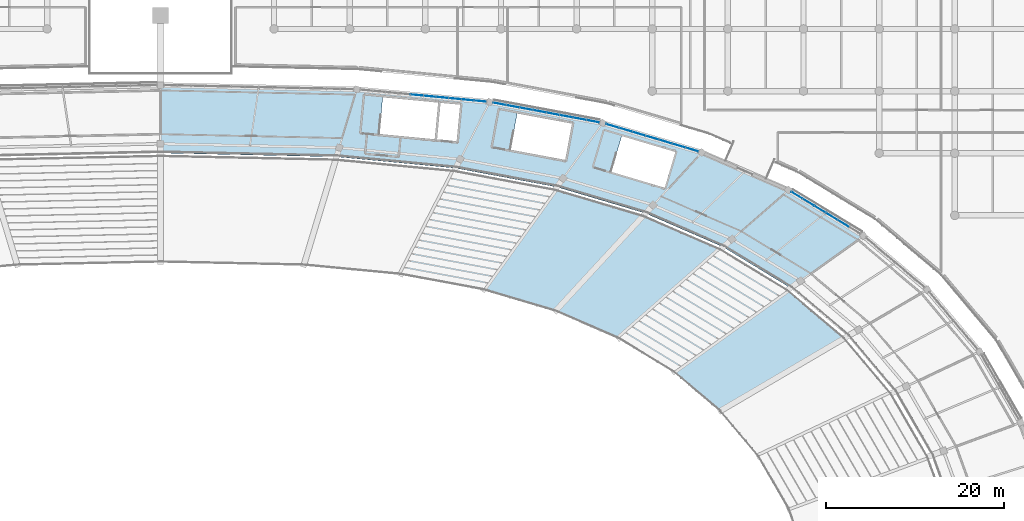
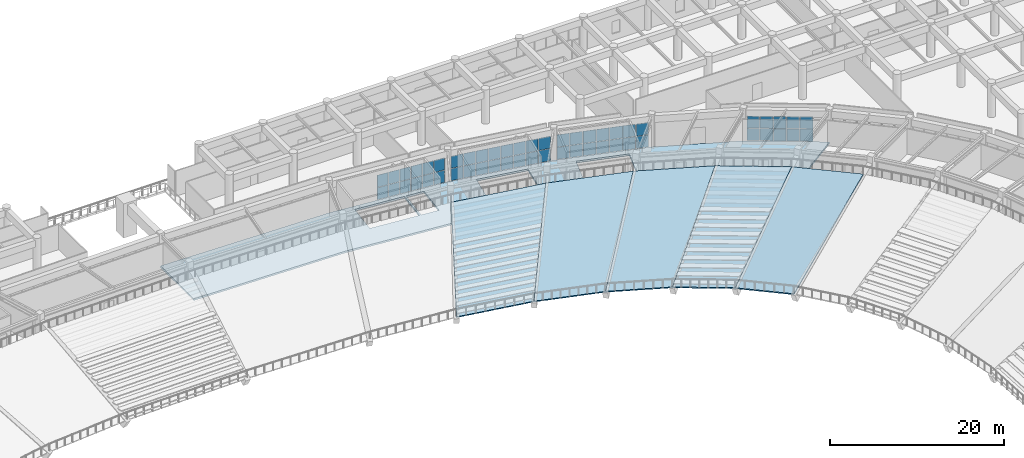
# One storey, part 88 of 137: 52 plates, 6 slabs, 4 elements without a shape of their own.
"""IFC4 building model written with IfcOpenShell, lengths in metres."""

from ifc_helpers import new_model, si_unit, direction, frame, origin, origin_2d, place, context, subcontext, project, spatial, polyline, rectangle, outline, extrude, material, layer, layer_set, type_object, element, aggregate, save


model = new_model("IFC4")

# Units and contexts
model_context = context("Model", 3, precision=1e-05, world=origin(), true_north=direction((0.0, 1.0)))
body_context = subcontext(model_context, "Body", "Model", "MODEL_VIEW")
ifc_project = project(units=[si_unit("LENGTHUNIT", "METRE"), si_unit("AREAUNIT", "SQUARE_METRE"), si_unit("VOLUMEUNIT", "CUBIC_METRE"), si_unit("PLANEANGLEUNIT", "RADIAN"), si_unit("MASSUNIT", "GRAM", prefix="KILO")], contexts=[model_context])

# Site, building, storey
site_placement = place(None, origin())
site = spatial("IfcSite", under=ifc_project, at=site_placement, CompositionType="ELEMENT")
building_placement = place(site_placement, origin())
building = spatial("IfcBuilding", under=site, at=building_placement, Name="Mphavela Belvedere Stadium", CompositionType="ELEMENT")
storey_placement = place(building_placement, frame((0.0, 0.0, 19.199951171875)))
storey = spatial("IfcBuildingStorey", under=building, at=storey_placement, Name="L04", CompositionType="ELEMENT", Elevation=19.199951171875)

# Curtain wall, plates
ifc_material_1 = material(Name="Anodised bronze unitised curtain wall framing")
ifc_layer_1 = layer(ifc_material_1, 0.195068359375)
ifc_layer_set_1 = layer_set([ifc_layer_1], Name="Anodised bronze unitised curtain wall framing")
curtain_wall_type_1 = type_object("IfcCurtainWallType", Name="CW-UNIT-04", PredefinedType="USERDEFINED", material=ifc_layer_set_1)
curtain_wall_1_placement = place(storey_placement, origin())
curtain_wall_1 = element("IfcCurtainWall", 1, at=curtain_wall_1_placement, inside=storey, type_object=curtain_wall_type_1, Name="Belvedere colonnade curtain wall L04-07", ObjectType="UNITISED CURTAIN WALL", PredefinedType="USERDEFINED")
ifc_material_2 = material(Name="Solar-control double glazing", Category="glass")
ifc_layer_2 = layer(ifc_material_2, 0.031982421875)
ifc_layer_set_2 = layer_set([ifc_layer_2], Name="Solar-control double glazing")
plate_type = type_object("IfcPlateType", Name="CWP-SOLAR-GLASS", PredefinedType="CURTAIN_PANEL", material=ifc_layer_set_2)
plate_1_placement = place(storey_placement, frame((191.89208984375, 145.091552734375, 0.06005859375), z_axis=(0.0, 0.0, 1.0), x_axis=(-0.854327323226, 0.519735341101, 0.0)))
plate_1 = element("IfcPlate", 2, at=plate_1_placement, type_object=plate_type, Name="CW-04 panel 2.1", PredefinedType="CURTAIN_PANEL", context=body_context, shape_type="SweptSolid", body=[
    extrude(rectangle(XDim=1.46923828125, YDim=0.031982421875, at=origin_2d()), origin(), (0.0, 0.0, 1.0), 1.695068359375),
])
plate_2_placement = place(storey_placement, frame((191.89208984375, 145.091552734375, 1.81494140625), z_axis=(0.0, 0.0, 1.0), x_axis=(-0.854327323226, 0.519735341101, 0.0)))
plate_2 = element("IfcPlate", 3, at=plate_2_placement, type_object=plate_type, Name="CW-04 panel 2.2", PredefinedType="CURTAIN_PANEL", context=body_context, shape_type="SweptSolid", body=[
    extrude(rectangle(XDim=1.46923828125, YDim=0.031982421875, at=origin_2d()), origin(), (0.0, 0.0, 1.0), 1.695068359375),
])
plate_3_placement = place(storey_placement, frame((190.581298828125, 145.888916015625, 0.06005859375), z_axis=(0.0, 0.0, 1.0), x_axis=(-0.854327323226, 0.519735341101, 0.0)))
plate_3 = element("IfcPlate", 4, at=plate_3_placement, type_object=plate_type, Name="CW-04 panel 3.1", PredefinedType="CURTAIN_PANEL", context=body_context, shape_type="SweptSolid", body=[
    extrude(rectangle(XDim=1.46923828125, YDim=0.031982421875, at=origin_2d()), origin(), (0.0, 0.0, 1.0), 1.695068359375),
])
plate_4_placement = place(storey_placement, frame((190.581298828125, 145.888916015625, 1.81494140625), z_axis=(0.0, 0.0, 1.0), x_axis=(-0.854327323226, 0.519735341101, 0.0)))
plate_4 = element("IfcPlate", 5, at=plate_4_placement, type_object=plate_type, Name="CW-04 panel 3.2", PredefinedType="CURTAIN_PANEL", context=body_context, shape_type="SweptSolid", body=[
    extrude(rectangle(XDim=1.46923828125, YDim=0.031982421875, at=origin_2d()), origin(), (0.0, 0.0, 1.0), 1.695068359375),
])
plate_5_placement = place(storey_placement, frame((189.2705078125, 146.6865234375, 0.06005859375), z_axis=(0.0, 0.0, 1.0), x_axis=(-0.854327323226, 0.519735341101, 0.0)))
plate_5 = element("IfcPlate", 6, at=plate_5_placement, type_object=plate_type, Name="CW-04 panel 4.1", PredefinedType="CURTAIN_PANEL", context=body_context, shape_type="SweptSolid", body=[
    extrude(rectangle(XDim=1.46923828125, YDim=0.031982421875, at=origin_2d()), origin(), (0.0, 0.0, 1.0), 1.695068359375),
])
plate_6_placement = place(storey_placement, frame((189.2705078125, 146.6865234375, 1.81494140625), z_axis=(0.0, 0.0, 1.0), x_axis=(-0.854327323226, 0.519735341101, 0.0)))
plate_6 = element("IfcPlate", 7, at=plate_6_placement, type_object=plate_type, Name="CW-04 panel 4.2", PredefinedType="CURTAIN_PANEL", context=body_context, shape_type="SweptSolid", body=[
    extrude(rectangle(XDim=1.46923828125, YDim=0.031982421875, at=origin_2d()), origin(), (0.0, 0.0, 1.0), 1.695068359375),
])
plate_7_placement = place(storey_placement, frame((187.959716796875, 147.48388671875, 0.06005859375), z_axis=(0.0, 0.0, 1.0), x_axis=(-0.854327323226, 0.519735341101, 0.0)))
plate_7 = element("IfcPlate", 8, at=plate_7_placement, type_object=plate_type, Name="CW-04 panel 5.1", PredefinedType="CURTAIN_PANEL", context=body_context, shape_type="SweptSolid", body=[
    extrude(rectangle(XDim=1.46923828125, YDim=0.031982421875, at=origin_2d()), origin(), (0.0, 0.0, 1.0), 1.695068359375),
])
plate_8_placement = place(storey_placement, frame((187.959716796875, 147.48388671875, 1.81494140625), z_axis=(0.0, 0.0, 1.0), x_axis=(-0.854327323226, 0.519735341101, 0.0)))
plate_8 = element("IfcPlate", 9, at=plate_8_placement, type_object=plate_type, Name="CW-04 panel 5.2", PredefinedType="CURTAIN_PANEL", context=body_context, shape_type="SweptSolid", body=[
    extrude(rectangle(XDim=1.46923828125, YDim=0.031982421875, at=origin_2d()), origin(), (0.0, 0.0, 1.0), 1.695068359375),
])
plate_9_placement = place(storey_placement, frame((186.662841796875, 148.27294921875, 0.06005859375), z_axis=(0.0, 0.0, 1.0), x_axis=(-0.854327323226, 0.519735341101, 0.0)))
plate_9 = element("IfcPlate", 10, at=plate_9_placement, type_object=plate_type, Name="CW-04 panel 6.1", PredefinedType="CURTAIN_PANEL", context=body_context, shape_type="SweptSolid", body=[
    extrude(rectangle(XDim=1.436767578125, YDim=0.031982421875, at=origin_2d()), origin(), (0.0, 0.0, 1.0), 1.695068359375),
])
plate_10_placement = place(storey_placement, frame((186.662841796875, 148.27294921875, 1.81494140625), z_axis=(0.0, 0.0, 1.0), x_axis=(-0.854327323226, 0.519735341101, 0.0)))
plate_10 = element("IfcPlate", 11, at=plate_10_placement, type_object=plate_type, Name="CW-04 panel 6.2", PredefinedType="CURTAIN_PANEL", context=body_context, shape_type="SweptSolid", body=[
    extrude(rectangle(XDim=1.436767578125, YDim=0.031982421875, at=origin_2d()), origin(), (0.0, 0.0, 1.0), 1.695068359375),
])
aggregate(curtain_wall_1, [plate_1, plate_2, plate_3, plate_4, plate_5, plate_6, plate_7, plate_8, plate_9, plate_10])

ifc_material_3 = material(Name="Anodised bronze unitised curtain wall framing")
ifc_layer_3 = layer(ifc_material_3, 0.199951171875)
ifc_layer_set_3 = layer_set([ifc_layer_3], Name="Anodised bronze unitised curtain wall framing")
curtain_wall_type_2 = type_object("IfcCurtainWallType", Name="CW-UNIT-05", PredefinedType="USERDEFINED", material=ifc_layer_set_3)
curtain_wall_2_placement = place(storey_placement, origin())
curtain_wall_2 = element("IfcCurtainWall", 12, at=curtain_wall_2_placement, inside=storey, type_object=curtain_wall_type_2, Name="Belvedere colonnade curtain wall L04-09", ObjectType="UNITISED CURTAIN WALL", PredefinedType="USERDEFINED")
plate_11_placement = place(storey_placement, frame((174.840576171875, 153.4169921875, 0.06005859375), z_axis=(0.0, 0.0, 1.0), x_axis=(-0.958657951671, 0.284560945489, 0.0)))
plate_11 = element("IfcPlate", 13, at=plate_11_placement, type_object=plate_type, Name="CW-05 panel 1.1", PredefinedType="CURTAIN_PANEL", context=body_context, shape_type="SweptSolid", body=[
    extrude(rectangle(XDim=1.462646484375, YDim=0.031982421875, at=origin_2d()), origin(), (0.0, 0.0, 1.0), 1.695068359375),
])
plate_12_placement = place(storey_placement, frame((174.840576171875, 153.4169921875, 1.81494140625), z_axis=(0.0, 0.0, 1.0), x_axis=(-0.958657951671, 0.284560945489, 0.0)))
plate_12 = element("IfcPlate", 14, at=plate_12_placement, type_object=plate_type, Name="CW-05 panel 1.2", PredefinedType="CURTAIN_PANEL", context=body_context, shape_type="SweptSolid", body=[
    extrude(rectangle(XDim=1.462646484375, YDim=0.031982421875, at=origin_2d()), origin(), (0.0, 0.0, 1.0), 1.695068359375),
])
plate_13_placement = place(storey_placement, frame((173.360595703125, 153.856201171875, 0.06005859375), z_axis=(0.0, 0.0, 1.0), x_axis=(-0.958657951671, 0.284560945489, 0.0)))
plate_13 = element("IfcPlate", 15, at=plate_13_placement, type_object=plate_type, Name="CW-05 panel 2.1", PredefinedType="CURTAIN_PANEL", context=body_context, shape_type="SweptSolid", body=[
    extrude(rectangle(XDim=1.4951171875, YDim=0.031982421875, at=origin_2d()), origin(), (0.0, 0.0, 1.0), 1.695068359375),
])
plate_14_placement = place(storey_placement, frame((173.360595703125, 153.856201171875, 1.81494140625), z_axis=(0.0, 0.0, 1.0), x_axis=(-0.958657951671, 0.284560945489, 0.0)))
plate_14 = element("IfcPlate", 16, at=plate_14_placement, type_object=plate_type, Name="CW-05 panel 2.2", PredefinedType="CURTAIN_PANEL", context=body_context, shape_type="SweptSolid", body=[
    extrude(rectangle(XDim=1.4951171875, YDim=0.031982421875, at=origin_2d()), origin(), (0.0, 0.0, 1.0), 1.695068359375),
])
plate_15_placement = place(storey_placement, frame((171.864990234375, 154.300048828125, 0.06005859375), z_axis=(0.0, 0.0, 1.0), x_axis=(-0.958657951671, 0.284560945489, 0.0)))
plate_15 = element("IfcPlate", 17, at=plate_15_placement, type_object=plate_type, Name="CW-05 panel 3.1", PredefinedType="CURTAIN_PANEL", context=body_context, shape_type="SweptSolid", body=[
    extrude(rectangle(XDim=1.4951171875, YDim=0.031982421875, at=origin_2d()), origin(), (0.0, 0.0, 1.0), 1.695068359375),
])
plate_16_placement = place(storey_placement, frame((171.864990234375, 154.300048828125, 1.81494140625), z_axis=(0.0, 0.0, 1.0), x_axis=(-0.958657951671, 0.284560945489, 0.0)))
plate_16 = element("IfcPlate", 18, at=plate_16_placement, type_object=plate_type, Name="CW-05 panel 3.2", PredefinedType="CURTAIN_PANEL", context=body_context, shape_type="SweptSolid", body=[
    extrude(rectangle(XDim=1.4951171875, YDim=0.031982421875, at=origin_2d()), origin(), (0.0, 0.0, 1.0), 1.695068359375),
])
plate_17_placement = place(storey_placement, frame((170.369384765625, 154.744140625, 0.06005859375), z_axis=(0.0, 0.0, 1.0), x_axis=(-0.958657951671, 0.284560945489, 0.0)))
plate_17 = element("IfcPlate", 19, at=plate_17_placement, type_object=plate_type, Name="CW-05 panel 4.1", PredefinedType="CURTAIN_PANEL", context=body_context, shape_type="SweptSolid", body=[
    extrude(rectangle(XDim=1.4951171875, YDim=0.031982421875, at=origin_2d()), origin(), (0.0, 0.0, 1.0), 1.695068359375),
])
plate_18_placement = place(storey_placement, frame((170.369384765625, 154.744140625, 1.81494140625), z_axis=(0.0, 0.0, 1.0), x_axis=(-0.958657951671, 0.284560945489, 0.0)))
plate_18 = element("IfcPlate", 20, at=plate_18_placement, type_object=plate_type, Name="CW-05 panel 4.2", PredefinedType="CURTAIN_PANEL", context=body_context, shape_type="SweptSolid", body=[
    extrude(rectangle(XDim=1.4951171875, YDim=0.031982421875, at=origin_2d()), origin(), (0.0, 0.0, 1.0), 1.695068359375),
])
plate_19_placement = place(storey_placement, frame((168.873779296875, 155.18798828125, 0.06005859375), z_axis=(0.0, 0.0, 1.0), x_axis=(-0.958657951671, 0.284560945489, 0.0)))
plate_19 = element("IfcPlate", 21, at=plate_19_placement, type_object=plate_type, Name="CW-05 panel 5.1", PredefinedType="CURTAIN_PANEL", context=body_context, shape_type="SweptSolid", body=[
    extrude(rectangle(XDim=1.4951171875, YDim=0.031982421875, at=origin_2d()), origin(), (0.0, 0.0, 1.0), 1.695068359375),
])
plate_20_placement = place(storey_placement, frame((168.873779296875, 155.18798828125, 1.81494140625), z_axis=(0.0, 0.0, 1.0), x_axis=(-0.958657951671, 0.284560945489, 0.0)))
plate_20 = element("IfcPlate", 22, at=plate_20_placement, type_object=plate_type, Name="CW-05 panel 5.2", PredefinedType="CURTAIN_PANEL", context=body_context, shape_type="SweptSolid", body=[
    extrude(rectangle(XDim=1.4951171875, YDim=0.031982421875, at=origin_2d()), origin(), (0.0, 0.0, 1.0), 1.695068359375),
])
plate_21_placement = place(storey_placement, frame((167.378173828125, 155.632080078125, 0.06005859375), z_axis=(0.0, 0.0, 1.0), x_axis=(-0.958657951671, 0.284560945489, 0.0)))
plate_21 = element("IfcPlate", 23, at=plate_21_placement, type_object=plate_type, Name="CW-05 panel 6.1", PredefinedType="CURTAIN_PANEL", context=body_context, shape_type="SweptSolid", body=[
    extrude(rectangle(XDim=1.4951171875, YDim=0.031982421875, at=origin_2d()), origin(), (0.0, 0.0, 1.0), 1.695068359375),
])
plate_22_placement = place(storey_placement, frame((167.378173828125, 155.632080078125, 1.81494140625), z_axis=(0.0, 0.0, 1.0), x_axis=(-0.958657951671, 0.284560945489, 0.0)))
plate_22 = element("IfcPlate", 24, at=plate_22_placement, type_object=plate_type, Name="CW-05 panel 6.2", PredefinedType="CURTAIN_PANEL", context=body_context, shape_type="SweptSolid", body=[
    extrude(rectangle(XDim=1.4951171875, YDim=0.031982421875, at=origin_2d()), origin(), (0.0, 0.0, 1.0), 1.695068359375),
])
plate_23_placement = place(storey_placement, frame((165.898193359375, 156.0712890625, 0.06005859375), z_axis=(0.0, 0.0, 1.0), x_axis=(-0.958657951671, 0.284560945489, 0.0)))
plate_23 = element("IfcPlate", 25, at=plate_23_placement, type_object=plate_type, Name="CW-05 panel 7.1", PredefinedType="CURTAIN_PANEL", context=body_context, shape_type="SweptSolid", body=[
    extrude(rectangle(XDim=1.462646484375, YDim=0.031982421875, at=origin_2d()), origin(), (0.0, 0.0, 1.0), 1.695068359375),
])
plate_24_placement = place(storey_placement, frame((165.898193359375, 156.0712890625, 1.81494140625), z_axis=(0.0, 0.0, 1.0), x_axis=(-0.958657951671, 0.284560945489, 0.0)))
plate_24 = element("IfcPlate", 26, at=plate_24_placement, type_object=plate_type, Name="CW-05 panel 7.2", PredefinedType="CURTAIN_PANEL", context=body_context, shape_type="SweptSolid", body=[
    extrude(rectangle(XDim=1.462646484375, YDim=0.031982421875, at=origin_2d()), origin(), (0.0, 0.0, 1.0), 1.695068359375),
])
aggregate(curtain_wall_2, [plate_11, plate_12, plate_13, plate_14, plate_15, plate_16, plate_17, plate_18, plate_19, plate_20, plate_21, plate_22, plate_23, plate_24])

ifc_material_4 = material(Name="Anodised bronze unitised curtain wall framing")
ifc_layer_4 = layer(ifc_material_4, 0.205078125)
ifc_layer_set_4 = layer_set([ifc_layer_4], Name="Anodised bronze unitised curtain wall framing")
curtain_wall_type_3 = type_object("IfcCurtainWallType", Name="CW-UNIT-06", PredefinedType="USERDEFINED", material=ifc_layer_set_4)
curtain_wall_3_placement = place(storey_placement, origin())
curtain_wall_3 = element("IfcCurtainWall", 27, at=curtain_wall_3_placement, inside=storey, type_object=curtain_wall_type_3, Name="Belvedere colonnade curtain wall L04-10", ObjectType="UNITISED CURTAIN WALL", PredefinedType="USERDEFINED")
plate_25_placement = place(storey_placement, frame((163.6904296875, 156.603759765625, 0.06005859375), z_axis=(0.0, 0.0, 1.0), x_axis=(-0.983096000413, 0.183090835302, 0.0)))
plate_25 = element("IfcPlate", 28, at=plate_25_placement, type_object=plate_type, Name="CW-06 panel 1.1", PredefinedType="CURTAIN_PANEL", context=body_context, shape_type="SweptSolid", body=[
    extrude(rectangle(XDim=1.433837890625, YDim=0.031982421875, at=origin_2d()), origin(), (0.0, 0.0, 1.0), 1.695068359375),
])
plate_26_placement = place(storey_placement, frame((163.6904296875, 156.603759765625, 1.81494140625), z_axis=(0.0, 0.0, 1.0), x_axis=(-0.983096000413, 0.183090835302, 0.0)))
plate_26 = element("IfcPlate", 29, at=plate_26_placement, type_object=plate_type, Name="CW-06 panel 1.2", PredefinedType="CURTAIN_PANEL", context=body_context, shape_type="SweptSolid", body=[
    extrude(rectangle(XDim=1.433837890625, YDim=0.031982421875, at=origin_2d()), origin(), (0.0, 0.0, 1.0), 1.695068359375),
])
plate_27_placement = place(storey_placement, frame((162.200927734375, 156.881103515625, 0.06005859375), z_axis=(0.0, 0.0, 1.0), x_axis=(-0.983096000413, 0.183090835302, 0.0)))
plate_27 = element("IfcPlate", 30, at=plate_27_placement, type_object=plate_type, Name="CW-06 panel 2.1", PredefinedType="CURTAIN_PANEL", context=body_context, shape_type="SweptSolid", body=[
    extrude(rectangle(XDim=1.46630859375, YDim=0.031982421875, at=origin_2d()), origin(), (0.0, 0.0, 1.0), 1.695068359375),
])
plate_28_placement = place(storey_placement, frame((162.200927734375, 156.881103515625, 1.81494140625), z_axis=(0.0, 0.0, 1.0), x_axis=(-0.983096000413, 0.183090835302, 0.0)))
plate_28 = element("IfcPlate", 31, at=plate_28_placement, type_object=plate_type, Name="CW-06 panel 2.2", PredefinedType="CURTAIN_PANEL", context=body_context, shape_type="SweptSolid", body=[
    extrude(rectangle(XDim=1.46630859375, YDim=0.031982421875, at=origin_2d()), origin(), (0.0, 0.0, 1.0), 1.695068359375),
])
plate_29_placement = place(storey_placement, frame((160.6953125, 157.16162109375, 0.06005859375), z_axis=(0.0, 0.0, 1.0), x_axis=(-0.983096000413, 0.183090835302, 0.0)))
plate_29 = element("IfcPlate", 32, at=plate_29_placement, type_object=plate_type, Name="CW-06 panel 3.1", PredefinedType="CURTAIN_PANEL", context=body_context, shape_type="SweptSolid", body=[
    extrude(rectangle(XDim=1.46630859375, YDim=0.031982421875, at=origin_2d()), origin(), (0.0, 0.0, 1.0), 1.695068359375),
])
plate_30_placement = place(storey_placement, frame((160.6953125, 157.16162109375, 1.81494140625), z_axis=(0.0, 0.0, 1.0), x_axis=(-0.983096000413, 0.183090835302, 0.0)))
plate_30 = element("IfcPlate", 33, at=plate_30_placement, type_object=plate_type, Name="CW-06 panel 3.2", PredefinedType="CURTAIN_PANEL", context=body_context, shape_type="SweptSolid", body=[
    extrude(rectangle(XDim=1.46630859375, YDim=0.031982421875, at=origin_2d()), origin(), (0.0, 0.0, 1.0), 1.695068359375),
])
plate_31_placement = place(storey_placement, frame((159.189697265625, 157.44189453125, 0.06005859375), z_axis=(0.0, 0.0, 1.0), x_axis=(-0.983096000413, 0.183090835302, 0.0)))
plate_31 = element("IfcPlate", 34, at=plate_31_placement, type_object=plate_type, Name="CW-06 panel 4.1", PredefinedType="CURTAIN_PANEL", context=body_context, shape_type="SweptSolid", body=[
    extrude(rectangle(XDim=1.46630859375, YDim=0.031982421875, at=origin_2d()), origin(), (0.0, 0.0, 1.0), 1.695068359375),
])
plate_32_placement = place(storey_placement, frame((159.189697265625, 157.44189453125, 1.81494140625), z_axis=(0.0, 0.0, 1.0), x_axis=(-0.983096000413, 0.183090835302, 0.0)))
plate_32 = element("IfcPlate", 35, at=plate_32_placement, type_object=plate_type, Name="CW-06 panel 4.2", PredefinedType="CURTAIN_PANEL", context=body_context, shape_type="SweptSolid", body=[
    extrude(rectangle(XDim=1.46630859375, YDim=0.031982421875, at=origin_2d()), origin(), (0.0, 0.0, 1.0), 1.695068359375),
])
plate_33_placement = place(storey_placement, frame((157.684326171875, 157.722412109375, 0.06005859375), z_axis=(0.0, 0.0, 1.0), x_axis=(-0.983096000413, 0.183090835302, 0.0)))
plate_33 = element("IfcPlate", 36, at=plate_33_placement, type_object=plate_type, Name="CW-06 panel 5.1", PredefinedType="CURTAIN_PANEL", context=body_context, shape_type="SweptSolid", body=[
    extrude(rectangle(XDim=1.46630859375, YDim=0.031982421875, at=origin_2d()), origin(), (0.0, 0.0, 1.0), 1.695068359375),
])
plate_34_placement = place(storey_placement, frame((157.684326171875, 157.722412109375, 1.81494140625), z_axis=(0.0, 0.0, 1.0), x_axis=(-0.983096000413, 0.183090835302, 0.0)))
plate_34 = element("IfcPlate", 37, at=plate_34_placement, type_object=plate_type, Name="CW-06 panel 5.2", PredefinedType="CURTAIN_PANEL", context=body_context, shape_type="SweptSolid", body=[
    extrude(rectangle(XDim=1.46630859375, YDim=0.031982421875, at=origin_2d()), origin(), (0.0, 0.0, 1.0), 1.695068359375),
])
plate_35_placement = place(storey_placement, frame((156.1787109375, 158.002685546875, 0.06005859375), z_axis=(0.0, 0.0, 1.0), x_axis=(-0.983096000413, 0.183090835302, 0.0)))
plate_35 = element("IfcPlate", 38, at=plate_35_placement, type_object=plate_type, Name="CW-06 panel 6.1", PredefinedType="CURTAIN_PANEL", context=body_context, shape_type="SweptSolid", body=[
    extrude(rectangle(XDim=1.46630859375, YDim=0.031982421875, at=origin_2d()), origin(), (0.0, 0.0, 1.0), 1.695068359375),
])
plate_36_placement = place(storey_placement, frame((156.1787109375, 158.002685546875, 1.81494140625), z_axis=(0.0, 0.0, 1.0), x_axis=(-0.983096000413, 0.183090835302, 0.0)))
plate_36 = element("IfcPlate", 39, at=plate_36_placement, type_object=plate_type, Name="CW-06 panel 6.2", PredefinedType="CURTAIN_PANEL", context=body_context, shape_type="SweptSolid", body=[
    extrude(rectangle(XDim=1.46630859375, YDim=0.031982421875, at=origin_2d()), origin(), (0.0, 0.0, 1.0), 1.695068359375),
])
plate_37_placement = place(storey_placement, frame((154.673095703125, 158.283203125, 0.06005859375), z_axis=(0.0, 0.0, 1.0), x_axis=(-0.983096000413, 0.183090835302, 0.0)))
plate_37 = element("IfcPlate", 40, at=plate_37_placement, type_object=plate_type, Name="CW-06 panel 7.1", PredefinedType="CURTAIN_PANEL", context=body_context, shape_type="SweptSolid", body=[
    extrude(rectangle(XDim=1.46630859375, YDim=0.031982421875, at=origin_2d()), origin(), (0.0, 0.0, 1.0), 1.695068359375),
])
plate_38_placement = place(storey_placement, frame((154.673095703125, 158.283203125, 1.81494140625), z_axis=(0.0, 0.0, 1.0), x_axis=(-0.983096000413, 0.183090835302, 0.0)))
plate_38 = element("IfcPlate", 41, at=plate_38_placement, type_object=plate_type, Name="CW-06 panel 7.2", PredefinedType="CURTAIN_PANEL", context=body_context, shape_type="SweptSolid", body=[
    extrude(rectangle(XDim=1.46630859375, YDim=0.031982421875, at=origin_2d()), origin(), (0.0, 0.0, 1.0), 1.695068359375),
])
plate_39_placement = place(storey_placement, frame((153.18359375, 158.560546875, 0.06005859375), z_axis=(0.0, 0.0, 1.0), x_axis=(-0.983096000413, 0.183090835302, 0.0)))
plate_39 = element("IfcPlate", 42, at=plate_39_placement, type_object=plate_type, Name="CW-06 panel 8.1", PredefinedType="CURTAIN_PANEL", context=body_context, shape_type="SweptSolid", body=[
    extrude(rectangle(XDim=1.433837890625, YDim=0.031982421875, at=origin_2d()), origin(), (0.0, 0.0, 1.0), 1.695068359375),
])
plate_40_placement = place(storey_placement, frame((153.18359375, 158.560546875, 1.81494140625), z_axis=(0.0, 0.0, 1.0), x_axis=(-0.983096000413, 0.183090835302, 0.0)))
plate_40 = element("IfcPlate", 43, at=plate_40_placement, type_object=plate_type, Name="CW-06 panel 8.2", PredefinedType="CURTAIN_PANEL", context=body_context, shape_type="SweptSolid", body=[
    extrude(rectangle(XDim=1.433837890625, YDim=0.031982421875, at=origin_2d()), origin(), (0.0, 0.0, 1.0), 1.695068359375),
])
aggregate(curtain_wall_3, [plate_25, plate_26, plate_27, plate_28, plate_29, plate_30, plate_31, plate_32, plate_33, plate_34, plate_35, plate_36, plate_37, plate_38, plate_39, plate_40])

ifc_material_5 = material(Name="Anodised bronze unitised curtain wall framing")
ifc_layer_5 = layer(ifc_material_5, 0.179931640625)
ifc_layer_set_5 = layer_set([ifc_layer_5], Name="Anodised bronze unitised curtain wall framing")
curtain_wall_type_4 = type_object("IfcCurtainWallType", Name="CW-UNIT-01", PredefinedType="USERDEFINED", material=ifc_layer_set_5)
curtain_wall_4_placement = place(storey_placement, origin())
curtain_wall_4 = element("IfcCurtainWall", 44, at=curtain_wall_4_placement, inside=storey, type_object=curtain_wall_type_4, Name="Belvedere colonnade curtain wall L04-11", ObjectType="UNITISED CURTAIN WALL", PredefinedType="USERDEFINED")
plate_41_placement = place(storey_placement, frame((150.9970703125, 158.869873046875, 0.06005859375), z_axis=(0.0, 0.0, 1.0), x_axis=(-0.995483672335, 0.094932913757, 0.0)))
plate_41 = element("IfcPlate", 45, at=plate_41_placement, type_object=plate_type, Name="CW-01 panel 1.1", PredefinedType="CURTAIN_PANEL", context=body_context, shape_type="SweptSolid", body=[
    extrude(rectangle(XDim=1.33544921875, YDim=0.031982421875, at=origin_2d()), origin(), (0.0, 0.0, 1.0), 1.695068359375),
])
plate_42_placement = place(storey_placement, frame((150.9970703125, 158.869873046875, 1.81494140625), z_axis=(0.0, 0.0, 1.0), x_axis=(-0.995483672335, 0.094932913757, 0.0)))
plate_42 = element("IfcPlate", 46, at=plate_42_placement, type_object=plate_type, Name="CW-01 panel 1.2", PredefinedType="CURTAIN_PANEL", context=body_context, shape_type="SweptSolid", body=[
    extrude(rectangle(XDim=1.33544921875, YDim=0.031982421875, at=origin_2d()), origin(), (0.0, 0.0, 1.0), 1.695068359375),
])
plate_43_placement = place(storey_placement, frame((149.586669921875, 159.00439453125, 0.06005859375), z_axis=(0.0, 0.0, 1.0), x_axis=(-0.995483672335, 0.094932913757, 0.0)))
plate_43 = element("IfcPlate", 47, at=plate_43_placement, type_object=plate_type, Name="CW-01 panel 2.1", PredefinedType="CURTAIN_PANEL", context=body_context, shape_type="SweptSolid", body=[
    extrude(rectangle(XDim=1.367919921875, YDim=0.031982421875, at=origin_2d()), origin(), (0.0, 0.0, 1.0), 1.695068359375),
])
plate_44_placement = place(storey_placement, frame((149.586669921875, 159.00439453125, 1.81494140625), z_axis=(0.0, 0.0, 1.0), x_axis=(-0.995483672335, 0.094932913757, 0.0)))
plate_44 = element("IfcPlate", 48, at=plate_44_placement, type_object=plate_type, Name="CW-01 panel 2.2", PredefinedType="CURTAIN_PANEL", context=body_context, shape_type="SweptSolid", body=[
    extrude(rectangle(XDim=1.367919921875, YDim=0.031982421875, at=origin_2d()), origin(), (0.0, 0.0, 1.0), 1.695068359375),
])
plate_45_placement = place(storey_placement, frame((148.16015625, 159.140380859375, 0.06005859375), z_axis=(0.0, 0.0, 1.0), x_axis=(-0.995483672335, 0.094932913757, 0.0)))
plate_45 = element("IfcPlate", 49, at=plate_45_placement, type_object=plate_type, Name="CW-01 panel 3.1", PredefinedType="CURTAIN_PANEL", context=body_context, shape_type="SweptSolid", body=[
    extrude(rectangle(XDim=1.367919921875, YDim=0.031982421875, at=origin_2d()), origin(), (0.0, 0.0, 1.0), 1.695068359375),
])
plate_46_placement = place(storey_placement, frame((148.16015625, 159.140380859375, 1.81494140625), z_axis=(0.0, 0.0, 1.0), x_axis=(-0.995483672335, 0.094932913757, 0.0)))
plate_46 = element("IfcPlate", 50, at=plate_46_placement, type_object=plate_type, Name="CW-01 panel 3.2", PredefinedType="CURTAIN_PANEL", context=body_context, shape_type="SweptSolid", body=[
    extrude(rectangle(XDim=1.367919921875, YDim=0.031982421875, at=origin_2d()), origin(), (0.0, 0.0, 1.0), 1.695068359375),
])
plate_47_placement = place(storey_placement, frame((146.7333984375, 159.276611328125, 0.06005859375), z_axis=(0.0, 0.0, 1.0), x_axis=(-0.995483672335, 0.094932913757, 0.0)))
plate_47 = element("IfcPlate", 51, at=plate_47_placement, type_object=plate_type, Name="CW-01 panel 4.1", PredefinedType="CURTAIN_PANEL", context=body_context, shape_type="SweptSolid", body=[
    extrude(rectangle(XDim=1.367919921875, YDim=0.031982421875, at=origin_2d()), origin(), (0.0, 0.0, 1.0), 1.695068359375),
])
plate_48_placement = place(storey_placement, frame((146.7333984375, 159.276611328125, 1.81494140625), z_axis=(0.0, 0.0, 1.0), x_axis=(-0.995483672335, 0.094932913757, 0.0)))
plate_48 = element("IfcPlate", 52, at=plate_48_placement, type_object=plate_type, Name="CW-01 panel 4.2", PredefinedType="CURTAIN_PANEL", context=body_context, shape_type="SweptSolid", body=[
    extrude(rectangle(XDim=1.367919921875, YDim=0.031982421875, at=origin_2d()), origin(), (0.0, 0.0, 1.0), 1.695068359375),
])
plate_49_placement = place(storey_placement, frame((145.306884765625, 159.41259765625, 0.06005859375), z_axis=(0.0, 0.0, 1.0), x_axis=(-0.995483672335, 0.094932913757, 0.0)))
plate_49 = element("IfcPlate", 53, at=plate_49_placement, type_object=plate_type, Name="CW-01 panel 5.1", PredefinedType="CURTAIN_PANEL", context=body_context, shape_type="SweptSolid", body=[
    extrude(rectangle(XDim=1.367919921875, YDim=0.031982421875, at=origin_2d()), origin(), (0.0, 0.0, 1.0), 1.695068359375),
])
plate_50_placement = place(storey_placement, frame((145.306884765625, 159.41259765625, 1.81494140625), z_axis=(0.0, 0.0, 1.0), x_axis=(-0.995483672335, 0.094932913757, 0.0)))
plate_50 = element("IfcPlate", 54, at=plate_50_placement, type_object=plate_type, Name="CW-01 panel 5.2", PredefinedType="CURTAIN_PANEL", context=body_context, shape_type="SweptSolid", body=[
    extrude(rectangle(XDim=1.367919921875, YDim=0.031982421875, at=origin_2d()), origin(), (0.0, 0.0, 1.0), 1.695068359375),
])
plate_51_placement = place(storey_placement, frame((143.88037109375, 159.548583984375, 0.06005859375), z_axis=(0.0, 0.0, 1.0), x_axis=(-0.995483672335, 0.094932913757, 0.0)))
plate_51 = element("IfcPlate", 55, at=plate_51_placement, type_object=plate_type, Name="CW-01 panel 6.1", PredefinedType="CURTAIN_PANEL", context=body_context, shape_type="SweptSolid", body=[
    extrude(rectangle(XDim=1.367919921875, YDim=0.031982421875, at=origin_2d()), origin(), (0.0, 0.0, 1.0), 1.695068359375),
])
plate_52_placement = place(storey_placement, frame((143.88037109375, 159.548583984375, 1.81494140625), z_axis=(0.0, 0.0, 1.0), x_axis=(-0.995483672335, 0.094932913757, 0.0)))
plate_52 = element("IfcPlate", 56, at=plate_52_placement, type_object=plate_type, Name="CW-01 panel 6.2", PredefinedType="CURTAIN_PANEL", context=body_context, shape_type="SweptSolid", body=[
    extrude(rectangle(XDim=1.367919921875, YDim=0.031982421875, at=origin_2d()), origin(), (0.0, 0.0, 1.0), 1.695068359375),
])
aggregate(curtain_wall_4, [plate_41, plate_42, plate_43, plate_44, plate_45, plate_46, plate_47, plate_48, plate_49, plate_50, plate_51, plate_52])

# Slabs
ifc_material_6 = material(Name="Concrete C40/50", Category="concrete")
ifc_layer_6 = layer(ifc_material_6, 0.25)
ifc_layer_set_6 = layer_set([ifc_layer_6], Name="Concrete C40/50")
slab_type_1 = type_object("IfcSlabType", Name="SLB-CONCOURSE-250", PredefinedType="FLOOR", material=ifc_layer_set_6)
slab_1_placement = place(storey_placement, frame((0.0, 0.0, -0.25)))
element("IfcSlab", 57, at=slab_1_placement, inside=storey, type_object=slab_type_1, Name="Concourse sector slab L04-S2", PredefinedType="FLOOR", context=body_context, shape_type="SweptSolid", body=[
    extrude(outline(polyline([(152.07275390625, 158.767333984375), (164.80126953125, 156.39697265625), (175.9375, 153.09130859375), (185.6962890625, 148.86083984375), (194.155517578125, 143.714599609375), (185.94140625, 137.8291015625), (178.35986328125, 142.44140625), (169.614013671875, 146.232666015625), (159.633056640625, 149.1953125), (148.2255859375, 151.31982421875), (134.819580078125, 152.59814453125), (115.0, 153.02490234375), (115.0, 160.669921875), (137.114501953125, 160.19384765625), (152.07275390625, 158.767333984375)]), holes=[polyline([(139.625, 155.150390625), (145.892333984375, 154.552490234375), (146.290283203125, 158.723388671875), (140.022705078125, 159.3212890625), (139.625, 155.150390625)]), polyline([(146.111328125, 154.531494140625), (148.361083984375, 154.31689453125), (148.759033203125, 158.48779296875), (146.509521484375, 158.702392578125), (146.111328125, 154.531494140625)]), polyline([(172.96826171875, 153.139892578125), (166.932373046875, 154.93115234375), (165.740234375, 150.914306640625), (171.77587890625, 149.123046875), (172.96826171875, 153.139892578125)]), polyline([(160.586181640625, 152.230712890625), (161.353271484375, 156.349853515625), (155.16357421875, 157.502685546875), (154.396484375, 153.383544921875), (160.586181640625, 152.230712890625)])]), origin(), (0.0, 0.0, 1.0), 0.25),
])
ifc_material_7 = material(Name="Precast concrete C45/55", Category="concrete")
ifc_layer_7 = layer(ifc_material_7, 0.25)
ifc_layer_set_7 = layer_set([ifc_layer_7], Name="Precast concrete C45/55")
slab_type_2 = type_object("IfcSlabType", Name="SLB-TIER-UPPER", PredefinedType="USERDEFINED", material=ifc_layer_set_7)
slab_2_placement = place(storey_placement, frame((178.043212890625, 123.986572265625, -3.75), z_axis=(-0.26936235005, -0.319213787463, 0.908595885017), x_axis=(-0.76424909441, 0.644921174734, 8.583252e-06)))
element("IfcSlab", 58, at=slab_2_placement, inside=storey, type_object=slab_type_2, Name="Upper seating tier slab L04-06", ObjectType="SEATING TIER", PredefinedType="USERDEFINED", context=body_context, shape_type="SweptSolid", body=[
    extrude(outline(polyline([(0.0, 0.0), (6.8624829349822045, -4.440892098500626e-16), (3.0041203220045305, -16.75932699972067), (-5.3745136956919755, -16.75964020480697), (0.0, 0.0)])), origin(), (0.0, 0.0, -1.0), 0.25),
])
slab_3_placement = place(storey_placement, frame((172.798583984375, 128.412353515625, -3.75), z_axis=(-0.226551553649, -0.372390181398, 0.899999970187), x_axis=(-0.854326477415, 0.519736731401, -4.594551e-06)))
element("IfcSlab", 59, at=slab_3_placement, inside=storey, type_object=slab_type_2, Name="Upper seating tier slab L04-07", ObjectType="SEATING TIER", PredefinedType="USERDEFINED", context=body_context, shape_type="SweptSolid", body=[
    extrude(outline(polyline([(0.0, 0.0), (7.230249505563686, 4.440892098500626e-16), (2.673516066064429, -16.059127284525168), (-6.154012566883175, -16.058958025546808), (0.0, 0.0)])), origin(), (0.0, 0.0, -1.0), 0.25),
])
slab_4_placement = place(storey_placement, frame((166.62158203125, 132.170166015625, -3.75), z_axis=(-0.181043516058, -0.417651973305, 0.890387597896), x_axis=(-0.917506392858, 0.397721031711, 4.38405e-07)))
element("IfcSlab", 60, at=slab_4_placement, inside=storey, type_object=slab_type_2, Name="Upper seating tier slab L04-08", ObjectType="SEATING TIER", PredefinedType="USERDEFINED", context=body_context, shape_type="SweptSolid", body=[
    extrude(outline(polyline([(0.0, 0.0), (7.766412495493663, 4.440892098500626e-16), (2.987256082165789, -15.377745937574787), (-6.494906292424061, -15.377762549643226), (0.0, 0.0)])), origin(), (0.0, 0.0, -1.0), 0.25),
])
slab_5_placement = place(storey_placement, frame((159.495849609375, 135.259033203125, -3.75), z_axis=(-0.134764194667, -0.453999078791, 0.880751638257), x_axis=(-0.958655220864, 0.28457014514, 2.48077e-06)))
element("IfcSlab", 61, at=slab_5_placement, inside=storey, type_object=slab_type_2, Name="Upper seating tier slab L04-09", ObjectType="SEATING TIER", PredefinedType="USERDEFINED", context=body_context, shape_type="SweptSolid", body=[
    extrude(outline(polyline([(0.0, 0.0), (8.482293570873965, -4.440892098500626e-16), (3.9663189080498307, -14.781057093001863), (-6.390057906798805, -14.78115577655728), (0.0, 0.0)])), origin(), (0.0, 0.0, -1.0), 0.25),
])
slab_6_placement = place(storey_placement, frame((151.3642578125, 137.6728515625, -3.75), z_axis=(-0.089590628161, -0.48101980308, 0.872120099752), x_axis=(-0.983094579971, 0.183098462105, -2.379002e-06)))
element("IfcSlab", 62, at=slab_6_placement, inside=storey, type_object=slab_type_2, Name="Upper seating tier slab L04-10", ObjectType="SEATING TIER", PredefinedType="USERDEFINED", context=body_context, shape_type="SweptSolid", body=[
    extrude(outline(polyline([(0.0, 0.0), (9.453762833660969, 0.0), (5.694227244845256, -14.30641711319916), (-5.848335345226333, -14.30631502629284), (0.0, 0.0)])), origin(), (0.0, 0.0, -1.0), 0.25),
])

save(model, "model.ifc")
